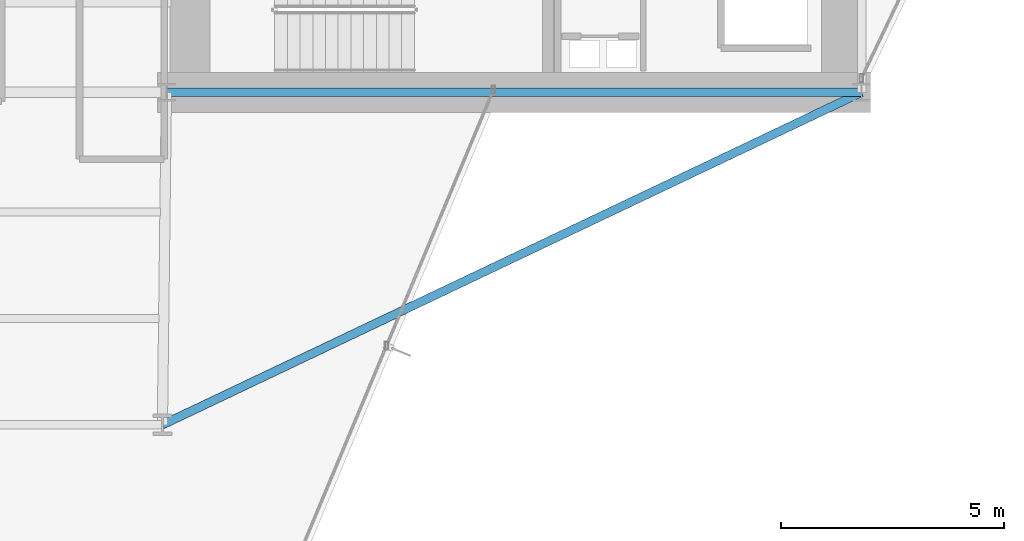
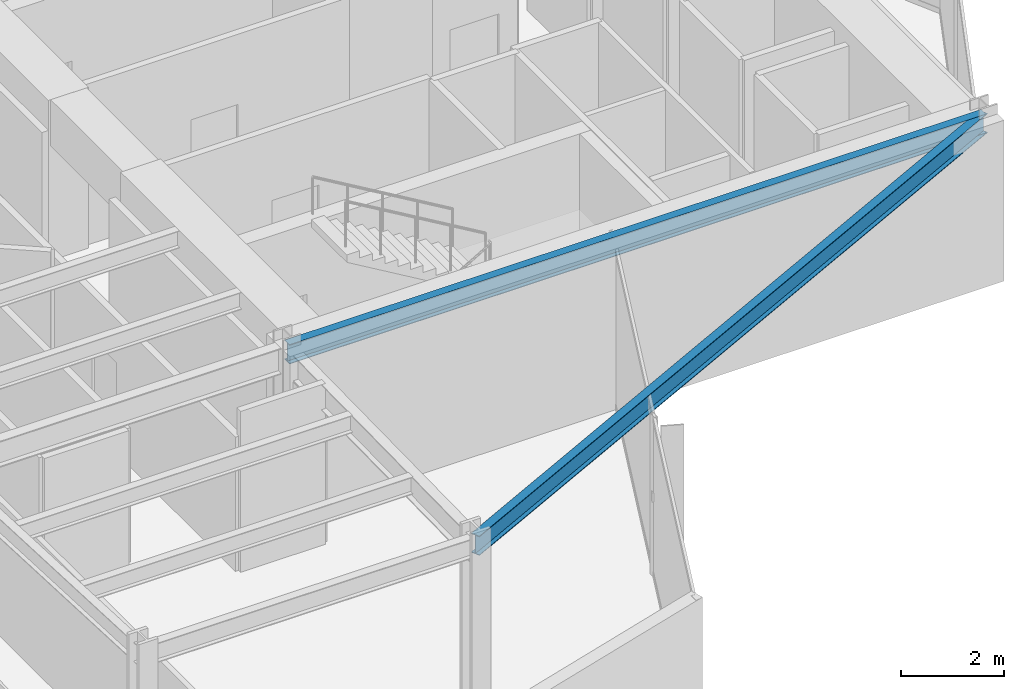
# One storey, part 11 of 24: 2 beams.
"""IFC4 building model written with IfcOpenShell, lengths in metres."""

from ifc_helpers import new_model, si_unit, direction, frame, origin, origin_2d, place, context, subcontext, project, spatial, i_section, extrude, material, material_profile, profile_set, type_object, element, save


model = new_model("IFC4")

# Units and contexts
model_context = context("Model", 3, precision=1e-05, world=origin(), true_north=direction((0.0, 1.0)))
body_context = subcontext(model_context, "Body", "Model", "MODEL_VIEW")
ifc_project = project(units=[si_unit("LENGTHUNIT", "METRE"), si_unit("AREAUNIT", "SQUARE_METRE"), si_unit("VOLUMEUNIT", "CUBIC_METRE"), si_unit("PLANEANGLEUNIT", "RADIAN"), si_unit("MASSUNIT", "GRAM", prefix="KILO")], contexts=[model_context])

# Site, building, storey
site_placement = place(None, origin())
site = spatial("IfcSite", under=ifc_project, at=site_placement, CompositionType="ELEMENT")
building_placement = place(site_placement, origin())
building = spatial("IfcBuilding", under=site, at=building_placement, Name="Veymaron Broadcast Tower", CompositionType="ELEMENT")
storey_placement = place(building_placement, frame((0.0, 0.0, 78.300048828125)))
storey = spatial("IfcBuildingStorey", under=building, at=storey_placement, Name="L17", CompositionType="ELEMENT", Elevation=78.300048828125)

# Beams
ifc_material = material(Name="Structural steel ASTM A992 Gr 50", Category="steel")
ifc_material_profile = material_profile(ifc_material, i_section(OverallWidth=0.19091796875, OverallDepth=0.4599609375, WebThickness=0.010009765625, FlangeThickness=0.01611328125, at=origin_2d()), Name="W460X82")
ifc_profile_set = profile_set([ifc_material_profile], Name="Structural steel ASTM A992 Gr 50")
beam_type = type_object("IfcBeamType", Name="BM-SP1", PredefinedType="SPANDREL", material=ifc_profile_set)
beam_1_placement = place(storey_placement, frame((39.0, 16.0, 3.579833984375), z_axis=(1.0, 0.0, 0.0), x_axis=(0.0, 1.0, 0.0)))
element("IfcBeam", 1, at=beam_1_placement, inside=storey, type_object=beam_type, Name="L17 primary structural floor girder", PredefinedType="SPANDREL", context=body_context, shape_type="SweptSolid", body=[
    extrude(i_section(OverallWidth=0.19091796875, OverallDepth=0.4599609375, WebThickness=0.010009765625, FlangeThickness=0.01611328125, at=origin_2d()), origin(), (0.0, 0.0, 1.0), 15.60009765625),
])
beam_2_placement = place(storey_placement, frame((54.60009765625, 16.0, 3.579833984375), z_axis=(-0.903118549841, -0.429391295828, 0.0), x_axis=(0.429391295828, -0.903118549841, 0.0)))
element("IfcBeam", 2, at=beam_2_placement, inside=storey, type_object=beam_type, Name="L17 primary structural floor girder", PredefinedType="SPANDREL", context=body_context, shape_type="SweptSolid", body=[
    extrude(i_section(OverallWidth=0.19091796875, OverallDepth=0.4599609375, WebThickness=0.010009765625, FlangeThickness=0.01611328125, at=origin_2d()), origin(), (0.0, 0.0, 1.0), 17.373291015625),
])

save(model, "model.ifc")
